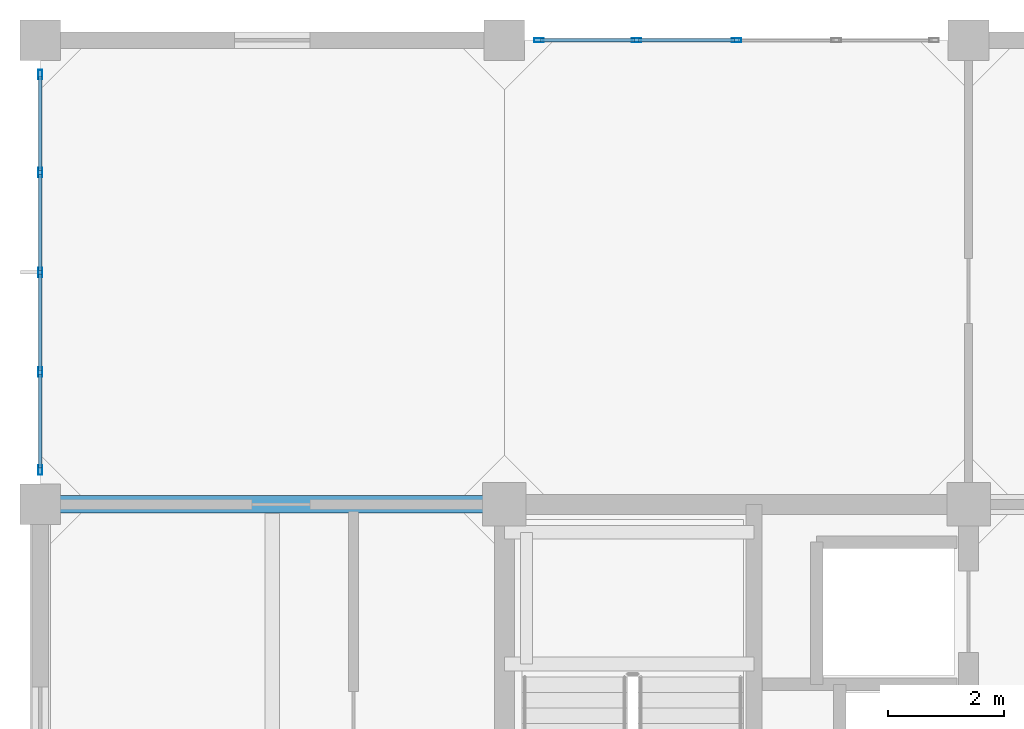
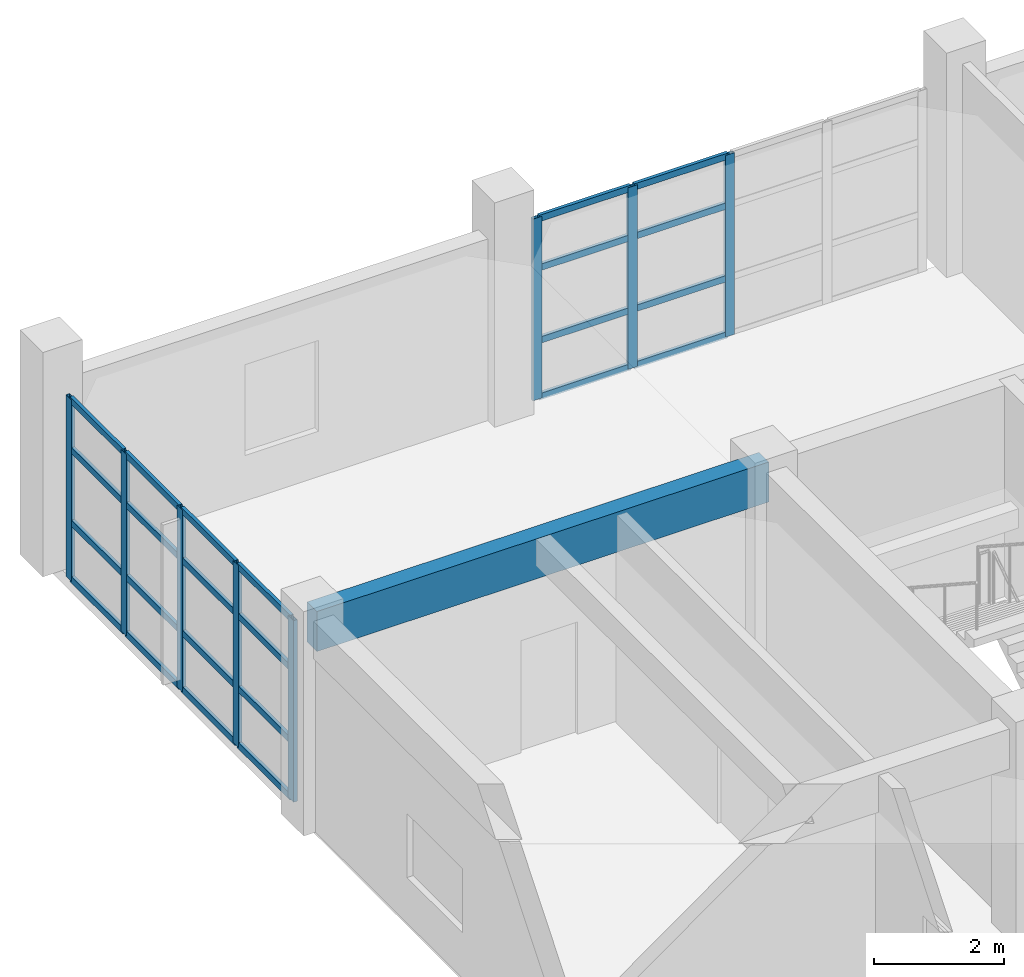
# One storey, part 10 of 19: 32 members, 1 beam, 2 elements without a shape of their own.
"""IFC4 building model written with IfcOpenShell, lengths in metres."""

import ifcopenshell
import ifcopenshell.guid

model = None  # the IFC model being written
_history = None  # IfcOwnerHistory: only IFC2X3 demands one
_inside = {}  # id of a spatial element -> (the spatial element, [elements in it])
_under = {}  # id of a project, library or spatial element -> (it, [spatial elements below it])
_declared = {}  # id of a project -> (the project, [libraries it declares])
_typed = {}  # id of a type object -> (the type object, [elements of that type])
_made_of = {}  # id of a material, layer set ... -> (it, [elements and type objects made of it])


def new_model(schema):
    """Start an empty IFC model of exactly this schema.

    Asked for "IFC4X3", IfcOpenShell would pick the latest addendum, in which some entities
    have other attributes; the version numbers below select the first issue.
    IFC2X3 requires an IfcOwnerHistory on every rooted entity: one is made here for all.
    """
    global model, _history
    if schema == "IFC4X3":
        model = ifcopenshell.file(schema_version=(4, 3, 0, 0))
    else:
        model = ifcopenshell.file(schema=schema)
    _inside.clear()
    _under.clear()
    _declared.clear()
    _typed.clear()
    _made_of.clear()
    _history = None
    if model.schema == "IFC2X3":
        org = make("IfcOrganization", Name="unknown")
        user = make(
            "IfcPersonAndOrganization",
            ThePerson=make("IfcPerson", FamilyName="unknown"),
            TheOrganization=org,
        )
        app = make(
            "IfcApplication",
            ApplicationDeveloper=org,
            Version="unknown",
            ApplicationFullName="unknown",
            ApplicationIdentifier="unknown",
        )
        _history = make(
            "IfcOwnerHistory",
            OwningUser=user,
            OwningApplication=app,
            ChangeAction="ADDED",
            CreationDate=0,
        )
    return model


def make(cls, **values):
    """One entity of the class cls with the attributes given. An attribute that is None is left unset."""
    return model.create_entity(
        cls, **{name: value for name, value in values.items() if value is not None}
    )


def rooted(cls, **values):
    """An entity with a GlobalId (a new one), such as an element, a storey or a relation."""
    return make(cls, GlobalId=ifcopenshell.guid.new(), OwnerHistory=_history, **values)


def si_unit(unit_type, name, prefix=None):
    """IfcSIUnit, for example si_unit("LENGTHUNIT", "METRE", prefix="MILLI")."""
    return make("IfcSIUnit", UnitType=unit_type, Prefix=prefix, Name=name)


def assignment(units):
    """IfcUnitAssignment: the units of a project."""
    return None if units is None else make("IfcUnitAssignment", Units=units)


def point(xyz):
    """IfcCartesianPoint."""
    return None if xyz is None else make("IfcCartesianPoint", Coordinates=xyz)


def direction(xyz):
    """IfcDirection."""
    return None if xyz is None else make("IfcDirection", DirectionRatios=xyz)


def frame(location, z_axis=None, x_axis=None):
    """IfcAxis2Placement3D, a coordinate frame: its origin and axes. An axis left out is left unset."""
    return make(
        "IfcAxis2Placement3D",
        Location=point(location),
        Axis=direction(z_axis),
        RefDirection=direction(x_axis),
    )


def frame_2d(location, x_axis=None):
    """IfcAxis2Placement2D, a coordinate frame in the plane: its origin and x axis."""
    return make(
        "IfcAxis2Placement2D", Location=point(location), RefDirection=direction(x_axis)
    )


def origin():
    """The frame at (0, 0, 0) with its axes left unset."""
    return frame((0.0, 0.0, 0.0))


def origin_2d():
    """The frame at (0, 0) in the plane with its x axis left unset."""
    return frame_2d((0.0, 0.0))


def place(relative_to, where):
    """IfcLocalPlacement: puts the frame where relative to a parent placement (None: the world)."""
    return make(
        "IfcLocalPlacement", PlacementRelTo=relative_to, RelativePlacement=where
    )


def context(
    kind, dimensions, precision=None, world=None, true_north=None, identifier=None
):
    """IfcGeometricRepresentationContext, for example the 3D "Model" context."""
    return make(
        "IfcGeometricRepresentationContext",
        ContextIdentifier=identifier,
        ContextType=kind,
        CoordinateSpaceDimension=dimensions,
        Precision=precision,
        WorldCoordinateSystem=world,
        TrueNorth=true_north,
    )


def subcontext(parent, identifier, kind, view, scale=None):
    """IfcGeometricRepresentationSubContext, for example "Body" below "Model"."""
    return make(
        "IfcGeometricRepresentationSubContext",
        ContextIdentifier=identifier,
        ContextType=kind,
        ParentContext=parent,
        TargetScale=scale,
        TargetView=view,
    )


def project(units=None, contexts=None):
    """IfcProject with its units and contexts."""
    return rooted(
        "IfcProject",
        Name="project",
        RepresentationContexts=contexts,
        UnitsInContext=assignment(units),
    )


def spatial(cls, under=None, at=None, **own):
    """A site, building, storey or space (cls), placed at a placement, below another one or the project."""
    s = rooted(cls, ObjectPlacement=at, **own)
    if under is not None:
        _under.setdefault(under.id(), (under, []))[1].append(s)
    return s


def profile(cls, at=None, kind="AREA", **sizes):
    """A parametric profile (cls). Its sizes go by their IFC names, for example OverallWidth=200.0."""
    return make(cls, ProfileType=kind, Position=at, **sizes)


def rectangle(**sizes):
    """IfcRectangleProfileDef."""
    return profile("IfcRectangleProfileDef", **sizes)


def hollow_rectangle(**sizes):
    """IfcRectangleHollowProfileDef."""
    return profile("IfcRectangleHollowProfileDef", **sizes)


def extrude(swept, where, along, depth):
    """IfcExtrudedAreaSolid: the profile swept, set in the frame where, extruded along a direction by depth."""
    return make(
        "IfcExtrudedAreaSolid",
        SweptArea=swept,
        Position=where,
        ExtrudedDirection=direction(along),
        Depth=depth,
    )


def shape(context_of_items, identifier, shape_type, items):
    """IfcShapeRepresentation: the items that make up one representation, for example the "Body"."""
    return make(
        "IfcShapeRepresentation",
        ContextOfItems=context_of_items,
        RepresentationIdentifier=identifier,
        RepresentationType=shape_type,
        Items=items,
    )


def material(Name=None, Category=None):
    """IfcMaterial."""
    return make("IfcMaterial", Name=Name, Category=Category)


def layer(
    of_material, thickness, ventilated=None, Name=None, Category=None, Priority=None
):
    """IfcMaterialLayer: one layer of a wall or slab, of a material (None: an air gap)."""
    return make(
        "IfcMaterialLayer",
        Material=of_material,
        LayerThickness=thickness,
        IsVentilated=ventilated,
        Name=Name,
        Category=Category,
        Priority=Priority,
    )


def layer_set(layers, Name=None):
    """IfcMaterialLayerSet."""
    return make("IfcMaterialLayerSet", MaterialLayers=layers, LayerSetName=Name)


def material_profile(
    of_material, cross_section, Name=None, Category=None, Priority=None
):
    """IfcMaterialProfile: a cross section and its material."""
    return make(
        "IfcMaterialProfile",
        Name=Name,
        Material=of_material,
        Profile=cross_section,
        Priority=Priority,
        Category=Category,
    )


def profile_set(profiles, Name=None, composite=None):
    """IfcMaterialProfileSet."""
    return make(
        "IfcMaterialProfileSet",
        Name=Name,
        MaterialProfiles=profiles,
        CompositeProfile=composite,
    )


def made_of(thing, what):
    """Note that an element or type object is made of a material, layer set ...; save() writes the relation."""
    if what is not None:
        _made_of.setdefault(what.id(), (what, []))[1].append(thing)
    return thing


def type_object(cls, material=None, **own):
    """A type object (cls), such as IfcWallType, which elements share."""
    return made_of(rooted(cls, **own), material)


def element(
    cls,
    number,
    at=None,
    inside=None,
    cuts=None,
    type_object=None,
    material=None,
    context=None,
    identifier="Body",
    shape_type=None,
    held_by="IfcProductDefinitionShape",
    body=None,
    shapes=None,
    **own,
):
    """One element of the class cls, such as IfcWall. Its Tag is "e" and its number.

    at: its placement. inside: the storey or other place that contains it. cuts: it is an
    opening in that element (IfcRelVoidsElement). A single representation is given by context,
    identifier, shape_type and body (its items); several are given by shapes. held_by: the class
    of the entity that holds the representations. save() writes the other relations.
    """
    e = rooted(cls, Tag="e%d" % number, ObjectPlacement=at, **own)
    if body is not None:
        shapes = [shape(context, identifier, shape_type, body)]
    if shapes is not None:
        e.Representation = make(held_by, Representations=shapes)
    if inside is not None:
        _inside.setdefault(inside.id(), (inside, []))[1].append(e)
    if cuts is not None:
        rooted(
            "IfcRelVoidsElement", RelatingBuildingElement=cuts, RelatedOpeningElement=e
        )
    if type_object is not None:
        _typed.setdefault(type_object.id(), (type_object, []))[1].append(e)
    return made_of(e, material)


def aggregate(whole, parts):
    """IfcRelAggregates: a whole, such as a stair, and the parts it consists of."""
    return rooted("IfcRelAggregates", RelatingObject=whole, RelatedObjects=parts)


def save(model, path):
    """Write the relations noted so far, then the file.

    IfcRelAggregates (storeys below a building ...), IfcRelContainedInSpatialStructure (elements
    in a storey), IfcRelDefinesByType, IfcRelAssociatesMaterial and IfcRelDeclares: one each for
    every whole, place, type object, material and project.
    """
    for whole, parts in _under.values():
        aggregate(whole, parts)
    for where, things in _inside.values():
        rooted(
            "IfcRelContainedInSpatialStructure",
            RelatedElements=things,
            RelatingStructure=where,
        )
    for kind, things in _typed.values():
        rooted("IfcRelDefinesByType", RelatedObjects=things, RelatingType=kind)
    for what, things in _made_of.values():
        rooted("IfcRelAssociatesMaterial", RelatedObjects=things, RelatingMaterial=what)
    for by, libraries in _declared.values():
        rooted("IfcRelDeclares", RelatingContext=by, RelatedDefinitions=libraries)
    model.write(path)


model = new_model("IFC4")

# Units and contexts
model_context = context("Model", 3, precision=1e-05, world=origin(), true_north=direction((0.0, 1.0)))
body_context = subcontext(model_context, "Body", "Model", "MODEL_VIEW")
ifc_project = project(units=[si_unit("LENGTHUNIT", "METRE"), si_unit("AREAUNIT", "SQUARE_METRE"), si_unit("VOLUMEUNIT", "CUBIC_METRE"), si_unit("PLANEANGLEUNIT", "RADIAN"), si_unit("MASSUNIT", "GRAM", prefix="KILO")], contexts=[model_context])

# Site, building, storey
site_placement = place(None, origin())
site = spatial("IfcSite", under=ifc_project, at=site_placement, CompositionType="ELEMENT")
building_placement = place(site_placement, origin())
building = spatial("IfcBuilding", under=site, at=building_placement, Name="Canggui Botanical Conservatory", CompositionType="ELEMENT")
storey_placement = place(building_placement, frame((0.0, 0.0, 44.39990234375)))
storey = spatial("IfcBuildingStorey", under=building, at=storey_placement, Name="L11", CompositionType="ELEMENT", Elevation=44.39990234375)

# Beam
ifc_material_1 = material(Name="Concrete C35", Category="concrete")
ifc_material_profile_1 = material_profile(ifc_material_1, rectangle(XDim=0.300048828125, YDim=0.75, at=origin_2d()), Name="RB 300x750")
ifc_profile_set_1 = profile_set([ifc_material_profile_1], Name="Concrete C35")
beam_type = type_object("IfcBeamType", Name="BM-SPD01", PredefinedType="SPANDREL", material=ifc_profile_set_1)
beam_placement = place(storey_placement, frame((146.0, 66.0, 3.585205078125), z_axis=(1.0, 0.0, 0.0), x_axis=(0.0, 1.0, 0.0)))
element("IfcBeam", 1, at=beam_placement, inside=storey, type_object=beam_type, Name="Frame Girder L11 Y66-1", PredefinedType="SPANDREL", context=body_context, shape_type="SweptSolid", body=[
    extrude(rectangle(XDim=0.300048828125, YDim=0.75, at=origin_2d()), origin(), (0.0, 0.0, 1.0), 8.0),
])

# Curtain wall, members
ifc_material_2 = material(Name="Thermally Broken Aluminium", Category="aluminium")
ifc_layer = layer(ifc_material_2, 0.1650390625, Name="Thermally Broken Aluminium", Category="aluminium")
ifc_layer_set = layer_set([ifc_layer], Name="Thermally Broken Aluminium")
curtain_wall_type = type_object("IfcCurtainWallType", Name="CW-UNIT-B", PredefinedType="USERDEFINED", material=ifc_layer_set)
curtain_wall_1_placement = place(storey_placement, origin())
curtain_wall_1 = element("IfcCurtainWall", 2, at=curtain_wall_1_placement, inside=storey, type_object=curtain_wall_type, Name="Facade Curtain Wall CW-TWR-L11-09", ObjectType="UNITISED CURTAIN WALL", PredefinedType="USERDEFINED")
ifc_material_profile_2 = material_profile(ifc_material_2, hollow_rectangle(XDim=0.06494140625, YDim=0.1650390625, WallThickness=0.00390625, at=origin_2d()), Name="CWM 65x165x4")
ifc_profile_set_2 = profile_set([ifc_material_profile_2], Name="Thermally Broken Aluminium")
member_type_1 = type_object("IfcMemberType", Name="CWM-02", PredefinedType="MULLION", material=ifc_profile_set_2)
member_1_placement = place(storey_placement, frame((146.0, 66.592529296875, 0.0), z_axis=(0.0, 0.0, 1.0), x_axis=(-1.0, 0.0, 0.0)))
member_1 = element("IfcMember", 3, at=member_1_placement, type_object=member_type_1, Name="CW-02 mullion 1", PredefinedType="MULLION", context=body_context, shape_type="SweptSolid", body=[
    extrude(hollow_rectangle(XDim=0.06494140625, YDim=0.1650390625, WallThickness=0.00390625, at=origin_2d()), origin(), (0.0, 0.0, 1.0), 3.400146484375),
])
member_2_placement = place(storey_placement, frame((146.0, 68.280029296875, 0.0), z_axis=(0.0, 0.0, 1.0), x_axis=(-1.0, 0.0, 0.0)))
member_2 = element("IfcMember", 4, at=member_2_placement, type_object=member_type_1, Name="CW-02 mullion 2", PredefinedType="MULLION", context=body_context, shape_type="SweptSolid", body=[
    extrude(hollow_rectangle(XDim=0.06494140625, YDim=0.1650390625, WallThickness=0.00390625, at=origin_2d()), origin(), (0.0, 0.0, 1.0), 3.400146484375),
])
member_3_placement = place(storey_placement, frame((146.0, 70.0, 0.0), z_axis=(0.0, 0.0, 1.0), x_axis=(-1.0, 0.0, 0.0)))
member_3 = element("IfcMember", 5, at=member_3_placement, type_object=member_type_1, Name="CW-02 mullion 3", PredefinedType="MULLION", context=body_context, shape_type="SweptSolid", body=[
    extrude(hollow_rectangle(XDim=0.06494140625, YDim=0.1650390625, WallThickness=0.00390625, at=origin_2d()), origin(), (0.0, 0.0, 1.0), 3.400146484375),
])
member_4_placement = place(storey_placement, frame((146.0, 71.719970703125, 0.0), z_axis=(0.0, 0.0, 1.0), x_axis=(-1.0, 0.0, 0.0)))
member_4 = element("IfcMember", 6, at=member_4_placement, type_object=member_type_1, Name="CW-02 mullion 4", PredefinedType="MULLION", context=body_context, shape_type="SweptSolid", body=[
    extrude(hollow_rectangle(XDim=0.06494140625, YDim=0.1650390625, WallThickness=0.00390625, at=origin_2d()), origin(), (0.0, 0.0, 1.0), 3.400146484375),
])
member_5_placement = place(storey_placement, frame((146.0, 73.407470703125, 0.0), z_axis=(0.0, 0.0, 1.0), x_axis=(-1.0, 0.0, 0.0)))
member_5 = element("IfcMember", 7, at=member_5_placement, type_object=member_type_1, Name="CW-02 mullion 5", PredefinedType="MULLION", context=body_context, shape_type="SweptSolid", body=[
    extrude(hollow_rectangle(XDim=0.06494140625, YDim=0.1650390625, WallThickness=0.00390625, at=origin_2d()), origin(), (0.0, 0.0, 1.0), 3.400146484375),
])

curtain_wall_2_placement = place(storey_placement, origin())
curtain_wall_2 = element("IfcCurtainWall", 8, at=curtain_wall_2_placement, inside=storey, type_object=curtain_wall_type, Name="Facade Curtain Wall CW-TWR-L11-11", ObjectType="UNITISED CURTAIN WALL", PredefinedType="USERDEFINED")
member_6_placement = place(storey_placement, frame((154.592529296875, 74.0, 0.0), z_axis=(0.0, 0.0, 1.0), x_axis=(0.0, 1.0, 0.0)))
member_6 = element("IfcMember", 9, at=member_6_placement, type_object=member_type_1, Name="CW-02 mullion 1", PredefinedType="MULLION", context=body_context, shape_type="SweptSolid", body=[
    extrude(hollow_rectangle(XDim=0.06494140625, YDim=0.1650390625, WallThickness=0.00390625, at=origin_2d()), origin(), (0.0, 0.0, 1.0), 3.400146484375),
])
member_7_placement = place(storey_placement, frame((156.280029296875, 74.0, 0.0), z_axis=(0.0, 0.0, 1.0), x_axis=(0.0, 1.0, 0.0)))
member_7 = element("IfcMember", 10, at=member_7_placement, type_object=member_type_1, Name="CW-02 mullion 2", PredefinedType="MULLION", context=body_context, shape_type="SweptSolid", body=[
    extrude(hollow_rectangle(XDim=0.06494140625, YDim=0.1650390625, WallThickness=0.00390625, at=origin_2d()), origin(), (0.0, 0.0, 1.0), 3.400146484375),
])
member_8_placement = place(storey_placement, frame((158.0, 74.0, 0.0), z_axis=(0.0, 0.0, 1.0), x_axis=(0.0, 1.0, 0.0)))
member_8 = element("IfcMember", 11, at=member_8_placement, type_object=member_type_1, Name="CW-02 mullion 3", PredefinedType="MULLION", context=body_context, shape_type="SweptSolid", body=[
    extrude(hollow_rectangle(XDim=0.06494140625, YDim=0.1650390625, WallThickness=0.00390625, at=origin_2d()), origin(), (0.0, 0.0, 1.0), 3.400146484375),
])

# Member
ifc_material_profile_3 = material_profile(ifc_material_2, hollow_rectangle(XDim=0.06005859375, YDim=0.1201171875, WallThickness=0.00341796875, at=origin_2d()), Name="CWT 60x120x3.5")
ifc_profile_set_3 = profile_set([ifc_material_profile_3], Name="Thermally Broken Aluminium")
member_type_2 = type_object("IfcMemberType", Name="CWT-02", PredefinedType="USERDEFINED", material=ifc_profile_set_3)
member_9_placement = place(storey_placement, frame((146.0, 66.625, 0.030029296875), z_axis=(0.0, 1.0, 0.0), x_axis=(-1.0, 0.0, 0.0)))
member_9 = element("IfcMember", 12, at=member_9_placement, type_object=member_type_2, Name="CW-02 transom 1.1", ObjectType="TRANSOM", PredefinedType="USERDEFINED", context=body_context, shape_type="SweptSolid", body=[
    extrude(hollow_rectangle(XDim=0.06005859375, YDim=0.1201171875, WallThickness=0.00341796875, at=origin_2d()), origin(), (0.0, 0.0, 1.0), 1.62255859375),
])

member_10_placement = place(storey_placement, frame((146.0, 66.625, 1.088134765625), z_axis=(0.0, 1.0, 0.0), x_axis=(-1.0, 0.0, 0.0)))
member_10 = element("IfcMember", 13, at=member_10_placement, type_object=member_type_2, Name="CW-02 transom 1.2", ObjectType="TRANSOM", PredefinedType="USERDEFINED", context=body_context, shape_type="SweptSolid", body=[
    extrude(hollow_rectangle(XDim=0.06005859375, YDim=0.1201171875, WallThickness=0.00341796875, at=origin_2d()), origin(), (0.0, 0.0, 1.0), 1.62255859375),
])

member_11_placement = place(storey_placement, frame((146.0, 66.625, 2.447998046875), z_axis=(0.0, 1.0, 0.0), x_axis=(-1.0, 0.0, 0.0)))
member_11 = element("IfcMember", 14, at=member_11_placement, type_object=member_type_2, Name="CW-02 transom 1.3", ObjectType="TRANSOM", PredefinedType="USERDEFINED", context=body_context, shape_type="SweptSolid", body=[
    extrude(hollow_rectangle(XDim=0.06005859375, YDim=0.1201171875, WallThickness=0.00341796875, at=origin_2d()), origin(), (0.0, 0.0, 1.0), 1.62255859375),
])

member_12_placement = place(storey_placement, frame((146.0, 66.625, 3.3701171875), z_axis=(0.0, 1.0, 0.0), x_axis=(-1.0, 0.0, 0.0)))
member_12 = element("IfcMember", 15, at=member_12_placement, type_object=member_type_2, Name="CW-02 transom 1.4", ObjectType="TRANSOM", PredefinedType="USERDEFINED", context=body_context, shape_type="SweptSolid", body=[
    extrude(hollow_rectangle(XDim=0.06005859375, YDim=0.1201171875, WallThickness=0.00341796875, at=origin_2d()), origin(), (0.0, 0.0, 1.0), 1.62255859375),
])

member_13_placement = place(storey_placement, frame((146.0, 68.3125, 0.030029296875), z_axis=(0.0, 1.0, 0.0), x_axis=(-1.0, 0.0, 0.0)))
member_13 = element("IfcMember", 16, at=member_13_placement, type_object=member_type_2, Name="CW-02 transom 2.1", ObjectType="TRANSOM", PredefinedType="USERDEFINED", context=body_context, shape_type="SweptSolid", body=[
    extrude(hollow_rectangle(XDim=0.06005859375, YDim=0.1201171875, WallThickness=0.00341796875, at=origin_2d()), origin(), (0.0, 0.0, 1.0), 1.655029296875),
])

member_14_placement = place(storey_placement, frame((146.0, 68.3125, 1.088134765625), z_axis=(0.0, 1.0, 0.0), x_axis=(-1.0, 0.0, 0.0)))
member_14 = element("IfcMember", 17, at=member_14_placement, type_object=member_type_2, Name="CW-02 transom 2.2", ObjectType="TRANSOM", PredefinedType="USERDEFINED", context=body_context, shape_type="SweptSolid", body=[
    extrude(hollow_rectangle(XDim=0.06005859375, YDim=0.1201171875, WallThickness=0.00341796875, at=origin_2d()), origin(), (0.0, 0.0, 1.0), 1.655029296875),
])

member_15_placement = place(storey_placement, frame((146.0, 68.3125, 2.447998046875), z_axis=(0.0, 1.0, 0.0), x_axis=(-1.0, 0.0, 0.0)))
member_15 = element("IfcMember", 18, at=member_15_placement, type_object=member_type_2, Name="CW-02 transom 2.3", ObjectType="TRANSOM", PredefinedType="USERDEFINED", context=body_context, shape_type="SweptSolid", body=[
    extrude(hollow_rectangle(XDim=0.06005859375, YDim=0.1201171875, WallThickness=0.00341796875, at=origin_2d()), origin(), (0.0, 0.0, 1.0), 1.655029296875),
])

member_16_placement = place(storey_placement, frame((146.0, 68.3125, 3.3701171875), z_axis=(0.0, 1.0, 0.0), x_axis=(-1.0, 0.0, 0.0)))
member_16 = element("IfcMember", 19, at=member_16_placement, type_object=member_type_2, Name="CW-02 transom 2.4", ObjectType="TRANSOM", PredefinedType="USERDEFINED", context=body_context, shape_type="SweptSolid", body=[
    extrude(hollow_rectangle(XDim=0.06005859375, YDim=0.1201171875, WallThickness=0.00341796875, at=origin_2d()), origin(), (0.0, 0.0, 1.0), 1.655029296875),
])

member_17_placement = place(storey_placement, frame((146.0, 70.032470703125, 0.030029296875), z_axis=(0.0, 1.0, 0.0), x_axis=(-1.0, 0.0, 0.0)))
member_17 = element("IfcMember", 20, at=member_17_placement, type_object=member_type_2, Name="CW-02 transom 3.1", ObjectType="TRANSOM", PredefinedType="USERDEFINED", context=body_context, shape_type="SweptSolid", body=[
    extrude(hollow_rectangle(XDim=0.06005859375, YDim=0.1201171875, WallThickness=0.00341796875, at=origin_2d()), origin(), (0.0, 0.0, 1.0), 1.655029296875),
])

member_18_placement = place(storey_placement, frame((146.0, 70.032470703125, 1.088134765625), z_axis=(0.0, 1.0, 0.0), x_axis=(-1.0, 0.0, 0.0)))
member_18 = element("IfcMember", 21, at=member_18_placement, type_object=member_type_2, Name="CW-02 transom 3.2", ObjectType="TRANSOM", PredefinedType="USERDEFINED", context=body_context, shape_type="SweptSolid", body=[
    extrude(hollow_rectangle(XDim=0.06005859375, YDim=0.1201171875, WallThickness=0.00341796875, at=origin_2d()), origin(), (0.0, 0.0, 1.0), 1.655029296875),
])

member_19_placement = place(storey_placement, frame((146.0, 70.032470703125, 2.447998046875), z_axis=(0.0, 1.0, 0.0), x_axis=(-1.0, 0.0, 0.0)))
member_19 = element("IfcMember", 22, at=member_19_placement, type_object=member_type_2, Name="CW-02 transom 3.3", ObjectType="TRANSOM", PredefinedType="USERDEFINED", context=body_context, shape_type="SweptSolid", body=[
    extrude(hollow_rectangle(XDim=0.06005859375, YDim=0.1201171875, WallThickness=0.00341796875, at=origin_2d()), origin(), (0.0, 0.0, 1.0), 1.655029296875),
])

member_20_placement = place(storey_placement, frame((146.0, 70.032470703125, 3.3701171875), z_axis=(0.0, 1.0, 0.0), x_axis=(-1.0, 0.0, 0.0)))
member_20 = element("IfcMember", 23, at=member_20_placement, type_object=member_type_2, Name="CW-02 transom 3.4", ObjectType="TRANSOM", PredefinedType="USERDEFINED", context=body_context, shape_type="SweptSolid", body=[
    extrude(hollow_rectangle(XDim=0.06005859375, YDim=0.1201171875, WallThickness=0.00341796875, at=origin_2d()), origin(), (0.0, 0.0, 1.0), 1.655029296875),
])

member_21_placement = place(storey_placement, frame((146.0, 71.75244140625, 0.030029296875), z_axis=(0.0, 1.0, 0.0), x_axis=(-1.0, 0.0, 0.0)))
member_21 = element("IfcMember", 24, at=member_21_placement, type_object=member_type_2, Name="CW-02 transom 4.1", ObjectType="TRANSOM", PredefinedType="USERDEFINED", context=body_context, shape_type="SweptSolid", body=[
    extrude(hollow_rectangle(XDim=0.06005859375, YDim=0.1201171875, WallThickness=0.00341796875, at=origin_2d()), origin(), (0.0, 0.0, 1.0), 1.62255859375),
])

member_22_placement = place(storey_placement, frame((146.0, 71.75244140625, 1.088134765625), z_axis=(0.0, 1.0, 0.0), x_axis=(-1.0, 0.0, 0.0)))
member_22 = element("IfcMember", 25, at=member_22_placement, type_object=member_type_2, Name="CW-02 transom 4.2", ObjectType="TRANSOM", PredefinedType="USERDEFINED", context=body_context, shape_type="SweptSolid", body=[
    extrude(hollow_rectangle(XDim=0.06005859375, YDim=0.1201171875, WallThickness=0.00341796875, at=origin_2d()), origin(), (0.0, 0.0, 1.0), 1.62255859375),
])

member_23_placement = place(storey_placement, frame((146.0, 71.75244140625, 2.447998046875), z_axis=(0.0, 1.0, 0.0), x_axis=(-1.0, 0.0, 0.0)))
member_23 = element("IfcMember", 26, at=member_23_placement, type_object=member_type_2, Name="CW-02 transom 4.3", ObjectType="TRANSOM", PredefinedType="USERDEFINED", context=body_context, shape_type="SweptSolid", body=[
    extrude(hollow_rectangle(XDim=0.06005859375, YDim=0.1201171875, WallThickness=0.00341796875, at=origin_2d()), origin(), (0.0, 0.0, 1.0), 1.62255859375),
])

member_24_placement = place(storey_placement, frame((146.0, 71.75244140625, 3.3701171875), z_axis=(0.0, 1.0, 0.0), x_axis=(-1.0, 0.0, 0.0)))
member_24 = element("IfcMember", 27, at=member_24_placement, type_object=member_type_2, Name="CW-02 transom 4.4", ObjectType="TRANSOM", PredefinedType="USERDEFINED", context=body_context, shape_type="SweptSolid", body=[
    extrude(hollow_rectangle(XDim=0.06005859375, YDim=0.1201171875, WallThickness=0.00341796875, at=origin_2d()), origin(), (0.0, 0.0, 1.0), 1.62255859375),
])

aggregate(curtain_wall_1, [member_1, member_2, member_3, member_4, member_5, member_9, member_10, member_11, member_12, member_13, member_14, member_15, member_16, member_17, member_18, member_19, member_20, member_21, member_22, member_23, member_24])

member_25_placement = place(storey_placement, frame((154.625, 74.0, 0.030029296875), z_axis=(1.0, 0.0, 0.0), x_axis=(0.0, 1.0, 0.0)))
member_25 = element("IfcMember", 28, at=member_25_placement, type_object=member_type_2, Name="CW-02 transom 1.1", ObjectType="TRANSOM", PredefinedType="USERDEFINED", context=body_context, shape_type="SweptSolid", body=[
    extrude(hollow_rectangle(XDim=0.06005859375, YDim=0.1201171875, WallThickness=0.00341796875, at=origin_2d()), origin(), (0.0, 0.0, 1.0), 1.62255859375),
])

member_26_placement = place(storey_placement, frame((154.625, 74.0, 1.088134765625), z_axis=(1.0, 0.0, 0.0), x_axis=(0.0, 1.0, 0.0)))
member_26 = element("IfcMember", 29, at=member_26_placement, type_object=member_type_2, Name="CW-02 transom 1.2", ObjectType="TRANSOM", PredefinedType="USERDEFINED", context=body_context, shape_type="SweptSolid", body=[
    extrude(hollow_rectangle(XDim=0.06005859375, YDim=0.1201171875, WallThickness=0.00341796875, at=origin_2d()), origin(), (0.0, 0.0, 1.0), 1.62255859375),
])

member_27_placement = place(storey_placement, frame((154.625, 74.0, 2.447998046875), z_axis=(1.0, 0.0, 0.0), x_axis=(0.0, 1.0, 0.0)))
member_27 = element("IfcMember", 30, at=member_27_placement, type_object=member_type_2, Name="CW-02 transom 1.3", ObjectType="TRANSOM", PredefinedType="USERDEFINED", context=body_context, shape_type="SweptSolid", body=[
    extrude(hollow_rectangle(XDim=0.06005859375, YDim=0.1201171875, WallThickness=0.00341796875, at=origin_2d()), origin(), (0.0, 0.0, 1.0), 1.62255859375),
])

member_28_placement = place(storey_placement, frame((154.625, 74.0, 3.3701171875), z_axis=(1.0, 0.0, 0.0), x_axis=(0.0, 1.0, 0.0)))
member_28 = element("IfcMember", 31, at=member_28_placement, type_object=member_type_2, Name="CW-02 transom 1.4", ObjectType="TRANSOM", PredefinedType="USERDEFINED", context=body_context, shape_type="SweptSolid", body=[
    extrude(hollow_rectangle(XDim=0.06005859375, YDim=0.1201171875, WallThickness=0.00341796875, at=origin_2d()), origin(), (0.0, 0.0, 1.0), 1.62255859375),
])

member_29_placement = place(storey_placement, frame((156.3125, 74.0, 0.030029296875), z_axis=(1.0, 0.0, 0.0), x_axis=(0.0, 1.0, 0.0)))
member_29 = element("IfcMember", 32, at=member_29_placement, type_object=member_type_2, Name="CW-02 transom 2.1", ObjectType="TRANSOM", PredefinedType="USERDEFINED", context=body_context, shape_type="SweptSolid", body=[
    extrude(hollow_rectangle(XDim=0.06005859375, YDim=0.1201171875, WallThickness=0.00341796875, at=origin_2d()), origin(), (0.0, 0.0, 1.0), 1.655029296875),
])

member_30_placement = place(storey_placement, frame((156.3125, 74.0, 1.088134765625), z_axis=(1.0, 0.0, 0.0), x_axis=(0.0, 1.0, 0.0)))
member_30 = element("IfcMember", 33, at=member_30_placement, type_object=member_type_2, Name="CW-02 transom 2.2", ObjectType="TRANSOM", PredefinedType="USERDEFINED", context=body_context, shape_type="SweptSolid", body=[
    extrude(hollow_rectangle(XDim=0.06005859375, YDim=0.1201171875, WallThickness=0.00341796875, at=origin_2d()), origin(), (0.0, 0.0, 1.0), 1.655029296875),
])

member_31_placement = place(storey_placement, frame((156.3125, 74.0, 2.447998046875), z_axis=(1.0, 0.0, 0.0), x_axis=(0.0, 1.0, 0.0)))
member_31 = element("IfcMember", 34, at=member_31_placement, type_object=member_type_2, Name="CW-02 transom 2.3", ObjectType="TRANSOM", PredefinedType="USERDEFINED", context=body_context, shape_type="SweptSolid", body=[
    extrude(hollow_rectangle(XDim=0.06005859375, YDim=0.1201171875, WallThickness=0.00341796875, at=origin_2d()), origin(), (0.0, 0.0, 1.0), 1.655029296875),
])

member_32_placement = place(storey_placement, frame((156.3125, 74.0, 3.3701171875), z_axis=(1.0, 0.0, 0.0), x_axis=(0.0, 1.0, 0.0)))
member_32 = element("IfcMember", 35, at=member_32_placement, type_object=member_type_2, Name="CW-02 transom 2.4", ObjectType="TRANSOM", PredefinedType="USERDEFINED", context=body_context, shape_type="SweptSolid", body=[
    extrude(hollow_rectangle(XDim=0.06005859375, YDim=0.1201171875, WallThickness=0.00341796875, at=origin_2d()), origin(), (0.0, 0.0, 1.0), 1.655029296875),
])

aggregate(curtain_wall_2, [member_6, member_7, member_8, member_25, member_26, member_27, member_28, member_29, member_30, member_31, member_32])

save(model, "model.ifc")
